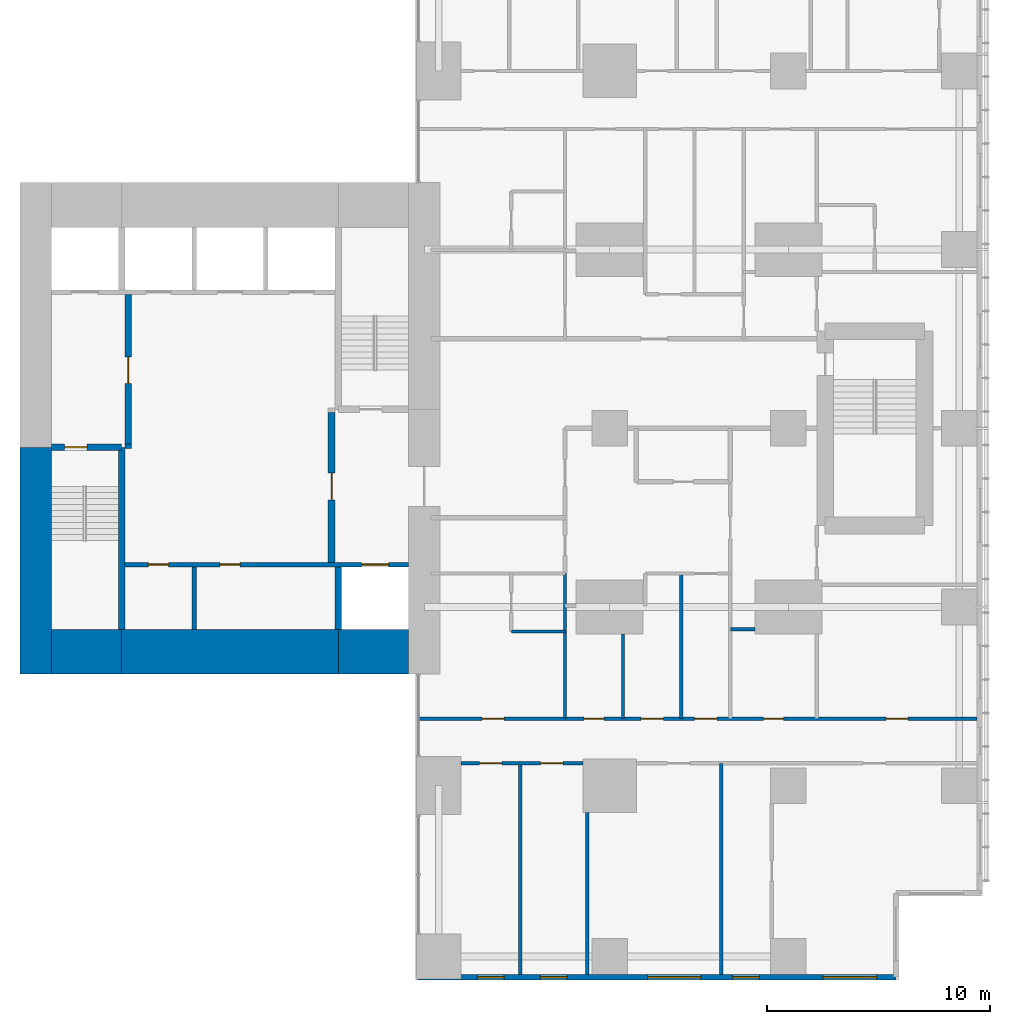
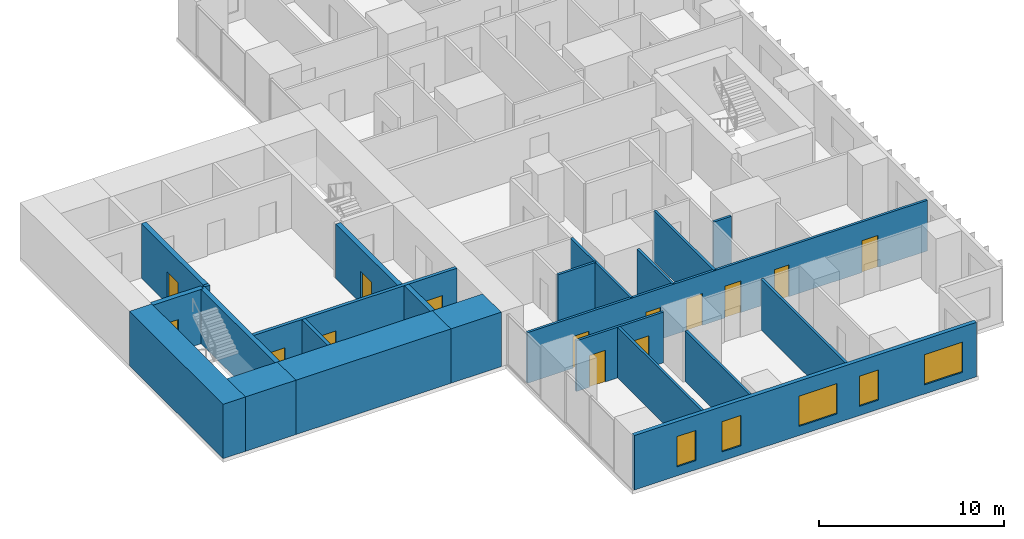
# One storey, part 7 of 12: 23 walls, 14 doors, 5 windows, 19 openings.
"""IFC4 building model written with IfcOpenShell, lengths in metres."""

from ifc_helpers import new_model, si_unit, direction, frame, frame_2d, origin, place, context, subcontext, project, spatial, rectangle, extrude, material, layer, layer_set, type_object, element, fill, save


model = new_model("IFC4")

# Units and contexts
model_context = context("Model", 3, precision=1e-05, world=origin(), true_north=direction((0.0, 1.0)))
body_context = subcontext(model_context, "Body", "Model", "MODEL_VIEW")
ifc_project = project(units=[si_unit("LENGTHUNIT", "METRE"), si_unit("AREAUNIT", "SQUARE_METRE"), si_unit("VOLUMEUNIT", "CUBIC_METRE"), si_unit("PLANEANGLEUNIT", "RADIAN"), si_unit("MASSUNIT", "GRAM", prefix="KILO")], contexts=[model_context])

# Site, building, storey
site_placement = place(None, origin())
site = spatial("IfcSite", under=ifc_project, at=site_placement, CompositionType="ELEMENT")
building_placement = place(site_placement, origin())
building = spatial("IfcBuilding", under=site, at=building_placement, Name="Cleftline Residences", CompositionType="ELEMENT")
storey_placement = place(building_placement, frame((0.0, 0.0, 237.60009765625)))
storey = spatial("IfcBuildingStorey", under=building, at=storey_placement, Name="L62", CompositionType="ELEMENT", Elevation=237.60009765625)

# Walls
ifc_material_1 = material(Name="Concrete B70", Category="concrete")
ifc_layer_1 = layer(ifc_material_1, 1.39990234375)
ifc_layer_set_1 = layer_set([ifc_layer_1], Name="CORE WALL 1400")
wall_type_1 = type_object("IfcWallType", Name="CORE WALL 1400", PredefinedType="SHEAR", material=ifc_layer_set_1)
wall_1_placement = place(storey_placement, frame((24.300048828125, 13.0, 0.0), z_axis=(0.0, 0.0, 1.0), x_axis=(0.0, 1.0, 0.0)))
element("IfcWall", 1, at=wall_1_placement, inside=storey, type_object=wall_type_1, Name="Core wall W0", PredefinedType="SHEAR", context=body_context, shape_type="SweptSolid", body=[
    extrude(rectangle(XDim=10.14990234375, YDim=1.39990234375, at=frame_2d((5.074951171875, 0.0))), origin(), (0.0, 0.0, 1.0), 3.599853515625),
])
ifc_material_2 = material(Name="Concrete B70", Category="concrete")
ifc_layer_2 = layer(ifc_material_2, 2.0)
ifc_layer_set_2 = layer_set([ifc_layer_2], Name="CORE WALL 2000")
wall_type_2 = type_object("IfcWallType", Name="CORE WALL 2000", PredefinedType="SHEAR", material=ifc_layer_set_2)
wall_2_placement = place(storey_placement, frame((25.0, 14.0, 0.0), z_axis=(0.0, 0.0, 1.0), x_axis=(1.0, 0.0, 0.0)))
element("IfcWall", 2, at=wall_2_placement, inside=storey, type_object=wall_type_2, Name="Core wall S1", PredefinedType="SHEAR", context=body_context, shape_type="SweptSolid", body=[
    extrude(rectangle(XDim=3.14990234375, YDim=2.0, at=frame_2d((1.574951171875, 0.0))), origin(), (0.0, 0.0, 1.0), 3.599853515625),
])
wall_3_placement = place(storey_placement, frame((28.14990234375, 14.0, 0.0), z_axis=(0.0, 0.0, 1.0), x_axis=(1.0, 0.0, 0.0)))
element("IfcWall", 3, at=wall_3_placement, inside=storey, type_object=wall_type_2, Name="Core wall S2", PredefinedType="SHEAR", context=body_context, shape_type="SweptSolid", body=[
    extrude(rectangle(XDim=9.7001953125, YDim=2.0, at=frame_2d((4.85009765625, 0.0))), origin(), (0.0, 0.0, 1.0), 3.599853515625),
])
wall_4_placement = place(storey_placement, frame((37.85009765625, 14.0, 0.0), z_axis=(0.0, 0.0, 1.0), x_axis=(1.0, 0.0, 0.0)))
element("IfcWall", 4, at=wall_4_placement, inside=storey, type_object=wall_type_2, Name="Core wall S3", PredefinedType="SHEAR", context=body_context, shape_type="SweptSolid", body=[
    extrude(rectangle(XDim=3.14990234375, YDim=2.0, at=frame_2d((1.574951171875, 0.0))), origin(), (0.0, 0.0, 1.0), 3.599853515625),
])
ifc_material_3 = material(Name="Concrete B70", Category="concrete")
ifc_layer_3 = layer(ifc_material_3, 0.300048828125)
ifc_layer_set_3 = layer_set([ifc_layer_3], Name="CORE WALL 300")
wall_type_3 = type_object("IfcWallType", Name="CORE WALL 300", PredefinedType="SHEAR", material=ifc_layer_set_3)
wall_5_placement = place(storey_placement, frame((28.14990234375, 15.0, 0.0), z_axis=(0.0, 0.0, 1.0), x_axis=(0.0, 1.0, 0.0)))
element("IfcWall", 5, at=wall_5_placement, inside=storey, type_object=wall_type_3, Name="Core wall SA-E", PredefinedType="SHEAR", context=body_context, shape_type="SweptSolid", body=[
    extrude(rectangle(XDim=8.14990234375, YDim=0.300048828125, at=frame_2d((4.074951171875, 0.0))), origin(), (0.0, 0.0, 1.0), 3.599853515625),
])

# Wall, opening, door
wall_6_placement = place(storey_placement, frame((25.0, 23.14990234375, 0.0), z_axis=(0.0, 0.0, 1.0), x_axis=(1.0, 0.0, 0.0)))
wall_6 = element("IfcWall", 6, at=wall_6_placement, inside=storey, type_object=wall_type_3, Name="Core wall SA-N", PredefinedType="SHEAR", context=body_context, shape_type="SweptSolid", body=[
    extrude(rectangle(XDim=3.14990234375, YDim=0.300048828125, at=frame_2d((1.574951171875, 0.0))), origin(), (0.0, 0.0, 1.0), 3.599853515625),
])
opening_1_placement = place(wall_6_placement, frame((0.60009765625, 0.0, 0.0)))
opening_1 = element("IfcOpeningElement", 7, at=opening_1_placement, cuts=wall_6, Name="Opening D5", PredefinedType="OPENING", context=body_context, shape_type="SweptSolid", body=[
    extrude(rectangle(XDim=1.0, YDim=2.10009765625, at=frame_2d((0.5, 1.050048828125))), frame((0.0, 0.159912109375, 0.0), z_axis=(0.0, -1.0, 0.0), x_axis=(1.0, 0.0, 0.0)), (0.0, 0.0, 1.0), 0.320068359375),
])
ifc_material_4 = material(Name="Steel", Category="steel")
door_type_1 = type_object("IfcDoorType", Name="STAIR DOOR 1000X2100", OperationType="SINGLE_SWING_LEFT", PredefinedType="DOOR", material=ifc_material_4)
door_1_placement = place(opening_1_placement, origin())
door_1 = element("IfcDoor", 8, at=door_1_placement, inside=storey, type_object=door_type_1, Name="Stair A door", OperationType="SINGLE_SWING_RIGHT", OverallHeight=2.10009765625, OverallWidth=1.0, PredefinedType="DOOR", context=body_context, shape_type="SweptSolid", body=[
    extrude(rectangle(XDim=1.0, YDim=2.10009765625, at=frame_2d((0.5, 1.050048828125))), frame((0.0, 0.02490234375, 0.0), z_axis=(0.0, -1.0, 0.0), x_axis=(1.0, 0.0, 0.0)), (0.0, 0.0, 1.0), 0.050048828125),
])
fill(opening_1, door_1)

# Wall
wall_7_placement = place(storey_placement, frame((37.85009765625, 15.0, 0.0), z_axis=(0.0, 0.0, 1.0), x_axis=(0.0, 1.0, 0.0)))
element("IfcWall", 9, at=wall_7_placement, inside=storey, type_object=wall_type_3, Name="Lift shaft wall", PredefinedType="SHEAR", context=body_context, shape_type="SweptSolid", body=[
    extrude(rectangle(XDim=2.800048828125, YDim=0.300048828125, at=frame_2d((1.39990234375, 0.0))), origin(), (0.0, 0.0, 1.0), 3.599853515625),
])

# Wall, openings, windows
ifc_material_5 = material(Name="Rendered reinforced concrete blockwork", Category="masonry")
ifc_layer_4 = layer(ifc_material_5, 0.25)
ifc_layer_set_4 = layer_set([ifc_layer_4], Name="EXTERNAL WALL 250")
wall_type_4 = type_object("IfcWallType", Name="EXTERNAL WALL 250", PredefinedType="SOLIDWALL", material=ifc_layer_set_4)
wall_8_placement = place(storey_placement, frame((41.425048828125, -0.574951171875, 0.0), z_axis=(0.0, 0.0, 1.0), x_axis=(1.0, 0.0, 0.0)))
wall_8 = element("IfcWall", 10, at=wall_8_placement, inside=storey, type_object=wall_type_4, Name="External wall", PredefinedType="SOLIDWALL", context=body_context, shape_type="SweptSolid", body=[
    extrude(rectangle(XDim=21.39990234375, YDim=0.25, at=frame_2d((10.699951171875, 0.0))), origin(), (0.0, 0.0, 1.0), 3.599853515625),
])
opening_2_placement = place(wall_8_placement, frame((2.64990234375, 0.0, 0.60009765625)))
opening_2 = element("IfcOpeningElement", 11, at=opening_2_placement, cuts=wall_8, Name="Opening W8", PredefinedType="OPENING", context=body_context, shape_type="SweptSolid", body=[
    extrude(rectangle(XDim=1.199951171875, YDim=2.0, at=frame_2d((0.60009765625, 1.0))), frame((0.0, 0.135009765625, 0.0), z_axis=(0.0, -1.0, 0.0), x_axis=(1.0, 0.0, 0.0)), (0.0, 0.0, 1.0), 0.27001953125),
])
opening_3_placement = place(wall_8_placement, frame((5.47509765625, 0.0, 0.60009765625)))
opening_3 = element("IfcOpeningElement", 12, at=opening_3_placement, cuts=wall_8, Name="Opening W8", PredefinedType="OPENING", context=body_context, shape_type="SweptSolid", body=[
    extrude(rectangle(XDim=1.199951171875, YDim=2.0, at=frame_2d((0.60009765625, 1.0))), frame((0.0, 0.135009765625, 0.0), z_axis=(0.0, -1.0, 0.0), x_axis=(1.0, 0.0, 0.0)), (0.0, 0.0, 1.0), 0.27001953125),
])
opening_4_placement = place(wall_8_placement, frame((10.27490234375, 0.0, 0.60009765625)))
opening_4 = element("IfcOpeningElement", 13, at=opening_4_placement, cuts=wall_8, Name="Opening W6", PredefinedType="OPENING", context=body_context, shape_type="SweptSolid", body=[
    extrude(rectangle(XDim=2.39990234375, YDim=2.0, at=frame_2d((1.199951171875, 1.0))), frame((0.0, 0.135009765625, 0.0), z_axis=(0.0, -1.0, 0.0), x_axis=(1.0, 0.0, 0.0)), (0.0, 0.0, 1.0), 0.27001953125),
])
opening_5_placement = place(wall_8_placement, frame((14.074951171875, 0.0, 0.60009765625)))
opening_5 = element("IfcOpeningElement", 14, at=opening_5_placement, cuts=wall_8, Name="Opening W8", PredefinedType="OPENING", context=body_context, shape_type="SweptSolid", body=[
    extrude(rectangle(XDim=1.199951171875, YDim=2.0, at=frame_2d((0.60009765625, 1.0))), frame((0.0, 0.135009765625, 0.0), z_axis=(0.0, -1.0, 0.0), x_axis=(1.0, 0.0, 0.0)), (0.0, 0.0, 1.0), 0.27001953125),
])
opening_6_placement = place(wall_8_placement, frame((18.125, 0.0, 0.60009765625)))
opening_6 = element("IfcOpeningElement", 15, at=opening_6_placement, cuts=wall_8, Name="Opening W6", PredefinedType="OPENING", context=body_context, shape_type="SweptSolid", body=[
    extrude(rectangle(XDim=2.39990234375, YDim=2.0, at=frame_2d((1.199951171875, 1.0))), frame((0.0, 0.135009765625, 0.0), z_axis=(0.0, -1.0, 0.0), x_axis=(1.0, 0.0, 0.0)), (0.0, 0.0, 1.0), 0.27001953125),
])
ifc_material_6 = material(Name="Aluminium frame, clear double glazing", Category="aluminium")
window_type_1 = type_object("IfcWindowType", Name="WINDOW 1200X2000", PartitioningType="DOUBLE_PANEL_VERTICAL", PredefinedType="WINDOW", material=ifc_material_6)
window_1_placement = place(opening_2_placement, origin())
window_1 = element("IfcWindow", 16, at=window_1_placement, inside=storey, type_object=window_type_1, Name="Window", OverallHeight=2.0, OverallWidth=1.199951171875, PartitioningType="SINGLE_PANEL", PredefinedType="WINDOW", context=body_context, shape_type="SweptSolid", body=[
    extrude(rectangle(XDim=1.199951171875, YDim=2.0, at=frame_2d((0.60009765625, 1.0))), frame((0.0, 0.030029296875, 0.0), z_axis=(0.0, -1.0, 0.0), x_axis=(1.0, 0.0, 0.0)), (0.0, 0.0, 1.0), 0.06005859375),
])
fill(opening_2, window_1)
window_2_placement = place(opening_3_placement, origin())
window_2 = element("IfcWindow", 17, at=window_2_placement, inside=storey, type_object=window_type_1, Name="Window", OverallHeight=2.0, OverallWidth=1.199951171875, PartitioningType="SINGLE_PANEL", PredefinedType="WINDOW", context=body_context, shape_type="SweptSolid", body=[
    extrude(rectangle(XDim=1.199951171875, YDim=2.0, at=frame_2d((0.60009765625, 1.0))), frame((0.0, 0.030029296875, 0.0), z_axis=(0.0, -1.0, 0.0), x_axis=(1.0, 0.0, 0.0)), (0.0, 0.0, 1.0), 0.06005859375),
])
fill(opening_3, window_2)
window_3_placement = place(opening_5_placement, origin())
window_3 = element("IfcWindow", 18, at=window_3_placement, inside=storey, type_object=window_type_1, Name="Window", OverallHeight=2.0, OverallWidth=1.199951171875, PartitioningType="SINGLE_PANEL", PredefinedType="WINDOW", context=body_context, shape_type="SweptSolid", body=[
    extrude(rectangle(XDim=1.199951171875, YDim=2.0, at=frame_2d((0.60009765625, 1.0))), frame((0.0, 0.030029296875, 0.0), z_axis=(0.0, -1.0, 0.0), x_axis=(1.0, 0.0, 0.0)), (0.0, 0.0, 1.0), 0.06005859375),
])
fill(opening_5, window_3)
ifc_material_7 = material(Name="Aluminium frame, clear double glazing", Category="aluminium")
window_type_2 = type_object("IfcWindowType", Name="WINDOW 2400X2000", PartitioningType="DOUBLE_PANEL_VERTICAL", PredefinedType="WINDOW", material=ifc_material_7)
window_4_placement = place(opening_4_placement, origin())
window_4 = element("IfcWindow", 19, at=window_4_placement, inside=storey, type_object=window_type_2, Name="Window", OverallHeight=2.0, OverallWidth=2.39990234375, PartitioningType="SINGLE_PANEL", PredefinedType="WINDOW", context=body_context, shape_type="SweptSolid", body=[
    extrude(rectangle(XDim=2.39990234375, YDim=2.0, at=frame_2d((1.199951171875, 1.0))), frame((0.0, 0.030029296875, 0.0), z_axis=(0.0, -1.0, 0.0), x_axis=(1.0, 0.0, 0.0)), (0.0, 0.0, 1.0), 0.06005859375),
])
fill(opening_4, window_4)
window_5_placement = place(opening_6_placement, origin())
window_5 = element("IfcWindow", 20, at=window_5_placement, inside=storey, type_object=window_type_2, Name="Window", OverallHeight=2.0, OverallWidth=2.39990234375, PartitioningType="SINGLE_PANEL", PredefinedType="WINDOW", context=body_context, shape_type="SweptSolid", body=[
    extrude(rectangle(XDim=2.39990234375, YDim=2.0, at=frame_2d((1.199951171875, 1.0))), frame((0.0, 0.030029296875, 0.0), z_axis=(0.0, -1.0, 0.0), x_axis=(1.0, 0.0, 0.0)), (0.0, 0.0, 1.0), 0.06005859375),
])
fill(opening_6, window_5)

# Wall
ifc_material_8 = material(Name="Concrete blockwork, fire rated", Category="masonry")
ifc_layer_5 = layer(ifc_material_8, 0.199951171875)
ifc_layer_set_5 = layer_set([ifc_layer_5], Name="FIRE WALL 200")
wall_type_5 = type_object("IfcWallType", Name="FIRE WALL 200", PredefinedType="PARTITIONING", material=ifc_layer_set_5)
wall_9_placement = place(storey_placement, frame((28.300048828125, 23.199951171875, 0.0), z_axis=(0.0, 0.0, 1.0), x_axis=(1.0, 0.0, 0.0)))
element("IfcWall", 21, at=wall_9_placement, inside=storey, type_object=wall_type_5, Name="Fire separating wall", PredefinedType="PARTITIONING", context=body_context, shape_type="SweptSolid", body=[
    extrude(rectangle(XDim=0.300048828125, YDim=0.199951171875, at=frame_2d((0.14990234375, 0.0))), origin(), (0.0, 0.0, 1.0), 3.599853515625),
])

# Wall, openings, doors
ifc_material_9 = material(Name="Gypsum board on steel studs", Category="steel")
ifc_layer_6 = layer(ifc_material_9, 0.14990234375)
ifc_layer_set_6 = layer_set([ifc_layer_6], Name="PARTITION 150")
wall_type_6 = type_object("IfcWallType", Name="PARTITION 150", PredefinedType="PARTITIONING", material=ifc_layer_set_6)
wall_10_placement = place(storey_placement, frame((43.35009765625, 9.0, 0.0), z_axis=(0.0, 0.0, 1.0), x_axis=(1.0, 0.0, 0.0)))
wall_10 = element("IfcWall", 22, at=wall_10_placement, inside=storey, type_object=wall_type_6, Name="Partition", PredefinedType="PARTITIONING", context=body_context, shape_type="SweptSolid", body=[
    extrude(rectangle(XDim=5.449951171875, YDim=0.14990234375, at=frame_2d((2.72509765625, 0.0))), origin(), (0.0, 0.0, 1.0), 3.349853515625),
])
opening_7_placement = place(wall_10_placement, frame((3.550048828125, 0.0, 0.0)))
opening_7 = element("IfcOpeningElement", 23, at=opening_7_placement, cuts=wall_10, Name="Opening D2", PredefinedType="OPENING", context=body_context, shape_type="SweptSolid", body=[
    extrude(rectangle(XDim=1.0, YDim=2.10009765625, at=frame_2d((0.5, 1.050048828125))), frame((0.0, 0.0849609375, 0.0), z_axis=(0.0, -1.0, 0.0), x_axis=(1.0, 0.0, 0.0)), (0.0, 0.0, 1.0), 0.169921875),
])
opening_8_placement = place(wall_10_placement, frame((0.824951171875, 0.0, 0.0)))
opening_8 = element("IfcOpeningElement", 24, at=opening_8_placement, cuts=wall_10, Name="Opening D2", PredefinedType="OPENING", context=body_context, shape_type="SweptSolid", body=[
    extrude(rectangle(XDim=1.0, YDim=2.10009765625, at=frame_2d((0.5, 1.050048828125))), frame((0.0, 0.0849609375, 0.0), z_axis=(0.0, -1.0, 0.0), x_axis=(1.0, 0.0, 0.0)), (0.0, 0.0, 1.0), 0.169921875),
])
ifc_material_10 = material(Name="Timber veneer on solid core", Category="wood")
door_type_2 = type_object("IfcDoorType", Name="DOOR 1000X2100", OperationType="SINGLE_SWING_LEFT", PredefinedType="DOOR", material=ifc_material_10)
door_2_placement = place(opening_7_placement, origin())
door_2 = element("IfcDoor", 25, at=door_2_placement, inside=storey, type_object=door_type_2, Name="Door to breakfast room", OperationType="SINGLE_SWING_LEFT", OverallHeight=2.10009765625, OverallWidth=1.0, PredefinedType="DOOR", context=body_context, shape_type="SweptSolid", body=[
    extrude(rectangle(XDim=1.0, YDim=2.10009765625, at=frame_2d((0.5, 1.050048828125))), frame((0.0, 0.02490234375, 0.0), z_axis=(0.0, -1.0, 0.0), x_axis=(1.0, 0.0, 0.0)), (0.0, 0.0, 1.0), 0.050048828125),
])
fill(opening_7, door_2)
door_3_placement = place(opening_8_placement, origin())
door_3 = element("IfcDoor", 26, at=door_3_placement, inside=storey, type_object=door_type_2, Name="Door to show kitchen", OperationType="SINGLE_SWING_RIGHT", OverallHeight=2.10009765625, OverallWidth=1.0, PredefinedType="DOOR", context=body_context, shape_type="SweptSolid", body=[
    extrude(rectangle(XDim=1.0, YDim=2.10009765625, at=frame_2d((0.5, 1.050048828125))), frame((0.0, 0.02490234375, 0.0), z_axis=(0.0, -1.0, 0.0), x_axis=(1.0, 0.0, 0.0)), (0.0, 0.0, 1.0), 0.050048828125),
])
fill(opening_8, door_3)

wall_11_placement = place(storey_placement, frame((41.43896484375, 11.0, 0.0), z_axis=(0.0, 0.0, 1.0), x_axis=(1.0, 0.0, 0.0)))
wall_11 = element("IfcWall", 27, at=wall_11_placement, inside=storey, type_object=wall_type_6, Name="Partition", PredefinedType="PARTITIONING", context=body_context, shape_type="SweptSolid", body=[
    extrude(rectangle(XDim=25.010986328125, YDim=0.14990234375, at=frame_2d((12.50537109375, 0.0))), origin(), (0.0, 0.0, 1.0), 3.349853515625),
])
opening_9_placement = place(wall_11_placement, frame((12.361083984375, 0.0, 0.0)))
opening_9 = element("IfcOpeningElement", 28, at=opening_9_placement, cuts=wall_11, Name="Opening D2F30", PredefinedType="OPENING", context=body_context, shape_type="SweptSolid", body=[
    extrude(rectangle(XDim=1.0, YDim=2.10009765625, at=frame_2d((0.5, 1.050048828125))), frame((0.0, 0.0849609375, 0.0), z_axis=(0.0, -1.0, 0.0), x_axis=(1.0, 0.0, 0.0)), (0.0, 0.0, 1.0), 0.169921875),
])
opening_10_placement = place(wall_11_placement, frame((20.923583984375, 0.0, 0.0)))
opening_10 = element("IfcOpeningElement", 29, at=opening_10_placement, cuts=wall_11, Name="Opening D2F30", PredefinedType="OPENING", context=body_context, shape_type="SweptSolid", body=[
    extrude(rectangle(XDim=1.0, YDim=2.10009765625, at=frame_2d((0.5, 1.050048828125))), frame((0.0, 0.0849609375, 0.0), z_axis=(0.0, -1.0, 0.0), x_axis=(1.0, 0.0, 0.0)), (0.0, 0.0, 1.0), 0.169921875),
])
opening_11_placement = place(wall_11_placement, frame((15.448486328125, 0.0, 0.0)))
opening_11 = element("IfcOpeningElement", 30, at=opening_11_placement, cuts=wall_11, Name="Opening D1F30", PredefinedType="OPENING", context=body_context, shape_type="SweptSolid", body=[
    extrude(rectangle(XDim=0.89990234375, YDim=2.10009765625, at=frame_2d((0.449951171875, 1.050048828125))), frame((0.0, 0.0849609375, 0.0), z_axis=(0.0, -1.0, 0.0), x_axis=(1.0, 0.0, 0.0)), (0.0, 0.0, 1.0), 0.169921875),
])
opening_12_placement = place(wall_11_placement, frame((9.9609375, 0.0, 0.0)))
opening_12 = element("IfcOpeningElement", 31, at=opening_12_placement, cuts=wall_11, Name="Opening D2F30", PredefinedType="OPENING", context=body_context, shape_type="SweptSolid", body=[
    extrude(rectangle(XDim=1.0, YDim=2.10009765625, at=frame_2d((0.5, 1.050048828125))), frame((0.0, 0.0849609375, 0.0), z_axis=(0.0, -1.0, 0.0), x_axis=(1.0, 0.0, 0.0)), (0.0, 0.0, 1.0), 0.169921875),
])
opening_13_placement = place(wall_11_placement, frame((7.410888671875, 0.0, 0.0)))
opening_13 = element("IfcOpeningElement", 32, at=opening_13_placement, cuts=wall_11, Name="Opening D1F30", PredefinedType="OPENING", context=body_context, shape_type="SweptSolid", body=[
    extrude(rectangle(XDim=0.89990234375, YDim=2.10009765625, at=frame_2d((0.449951171875, 1.050048828125))), frame((0.0, 0.0849609375, 0.0), z_axis=(0.0, -1.0, 0.0), x_axis=(1.0, 0.0, 0.0)), (0.0, 0.0, 1.0), 0.169921875),
])
opening_14_placement = place(wall_11_placement, frame((2.8359375, 0.0, 0.0)))
opening_14 = element("IfcOpeningElement", 33, at=opening_14_placement, cuts=wall_11, Name="Opening D2F30", PredefinedType="OPENING", context=body_context, shape_type="SweptSolid", body=[
    extrude(rectangle(XDim=1.0, YDim=2.10009765625, at=frame_2d((0.5, 1.050048828125))), frame((0.0, 0.0849609375, 0.0), z_axis=(0.0, -1.0, 0.0), x_axis=(1.0, 0.0, 0.0)), (0.0, 0.0, 1.0), 0.169921875),
])
ifc_material_11 = material(Name="Timber veneer on solid core", Category="wood")
door_type_3 = type_object("IfcDoorType", Name="DOOR 1000X2100 EI 30", OperationType="SINGLE_SWING_LEFT", PredefinedType="DOOR", material=ifc_material_11)
door_4_placement = place(opening_9_placement, origin())
door_4 = element("IfcDoor", 34, at=door_4_placement, inside=storey, type_object=door_type_3, Name="Door to residence hall (gallery)", OperationType="SINGLE_SWING_LEFT", OverallHeight=2.10009765625, OverallWidth=1.0, PredefinedType="DOOR", context=body_context, shape_type="SweptSolid", body=[
    extrude(rectangle(XDim=1.0, YDim=2.10009765625, at=frame_2d((0.5, 1.050048828125))), frame((0.0, 0.02490234375, 0.0), z_axis=(0.0, -1.0, 0.0), x_axis=(1.0, 0.0, 0.0)), (0.0, 0.0, 1.0), 0.050048828125),
])
fill(opening_9, door_4)
door_5_placement = place(opening_10_placement, origin())
door_5 = element("IfcDoor", 35, at=door_5_placement, inside=storey, type_object=door_type_3, Name="Door to altar room", OperationType="SINGLE_SWING_LEFT", OverallHeight=2.10009765625, OverallWidth=1.0, PredefinedType="DOOR", context=body_context, shape_type="SweptSolid", body=[
    extrude(rectangle(XDim=1.0, YDim=2.10009765625, at=frame_2d((0.5, 1.050048828125))), frame((0.0, 0.02490234375, 0.0), z_axis=(0.0, -1.0, 0.0), x_axis=(1.0, 0.0, 0.0)), (0.0, 0.0, 1.0), 0.050048828125),
])
fill(opening_10, door_5)
door_6_placement = place(opening_12_placement, origin())
door_6 = element("IfcDoor", 36, at=door_6_placement, inside=storey, type_object=door_type_3, Name="Door to wet kitchen", OperationType="SINGLE_SWING_RIGHT", OverallHeight=2.10009765625, OverallWidth=1.0, PredefinedType="DOOR", context=body_context, shape_type="SweptSolid", body=[
    extrude(rectangle(XDim=1.0, YDim=2.10009765625, at=frame_2d((0.5, 1.050048828125))), frame((0.0, 0.02490234375, 0.0), z_axis=(0.0, -1.0, 0.0), x_axis=(1.0, 0.0, 0.0)), (0.0, 0.0, 1.0), 0.050048828125),
])
fill(opening_12, door_6)
door_7_placement = place(opening_14_placement, origin())
door_7 = element("IfcDoor", 37, at=door_7_placement, inside=storey, type_object=door_type_3, Name="Door to staff bedroom", OperationType="SINGLE_SWING_RIGHT", OverallHeight=2.10009765625, OverallWidth=1.0, PredefinedType="DOOR", context=body_context, shape_type="SweptSolid", body=[
    extrude(rectangle(XDim=1.0, YDim=2.10009765625, at=frame_2d((0.5, 1.050048828125))), frame((0.0, 0.02490234375, 0.0), z_axis=(0.0, -1.0, 0.0), x_axis=(1.0, 0.0, 0.0)), (0.0, 0.0, 1.0), 0.050048828125),
])
fill(opening_14, door_7)
ifc_material_12 = material(Name="Timber veneer on solid core", Category="wood")
door_type_4 = type_object("IfcDoorType", Name="DOOR 900X2100 EI 30", OperationType="SINGLE_SWING_LEFT", PredefinedType="DOOR", material=ifc_material_12)
door_8_placement = place(opening_11_placement, origin())
door_8 = element("IfcDoor", 38, at=door_8_placement, inside=storey, type_object=door_type_4, Name="Door to store room", OperationType="SINGLE_SWING_LEFT", OverallHeight=2.10009765625, OverallWidth=0.89990234375, PredefinedType="DOOR", context=body_context, shape_type="SweptSolid", body=[
    extrude(rectangle(XDim=0.89990234375, YDim=2.10009765625, at=frame_2d((0.449951171875, 1.050048828125))), frame((0.0, 0.02490234375, 0.0), z_axis=(0.0, -1.0, 0.0), x_axis=(1.0, 0.0, 0.0)), (0.0, 0.0, 1.0), 0.050048828125),
])
fill(opening_11, door_8)
door_9_placement = place(opening_13_placement, origin())
door_9 = element("IfcDoor", 39, at=door_9_placement, inside=storey, type_object=door_type_4, Name="Door to pantry", OperationType="SINGLE_SWING_RIGHT", OverallHeight=2.10009765625, OverallWidth=0.89990234375, PredefinedType="DOOR", context=body_context, shape_type="SweptSolid", body=[
    extrude(rectangle(XDim=0.89990234375, YDim=2.10009765625, at=frame_2d((0.449951171875, 1.050048828125))), frame((0.0, 0.02490234375, 0.0), z_axis=(0.0, -1.0, 0.0), x_axis=(1.0, 0.0, 0.0)), (0.0, 0.0, 1.0), 0.050048828125),
])
fill(opening_13, door_9)

# Walls
wall_12_placement = place(storey_placement, frame((45.60009765625, 14.89990234375, 0.0), z_axis=(0.0, 0.0, 1.0), x_axis=(1.0, 0.0, 0.0)))
element("IfcWall", 40, at=wall_12_placement, inside=storey, type_object=wall_type_6, Name="Partition", PredefinedType="PARTITIONING", context=body_context, shape_type="SweptSolid", body=[
    extrude(rectangle(XDim=2.39990234375, YDim=0.14990234375, at=frame_2d((1.199951171875, 0.0))), origin(), (0.0, 0.0, 1.0), 3.349853515625),
])
wall_13_placement = place(storey_placement, frame((55.39990234375, 15.0, 0.0), z_axis=(0.0, 0.0, 1.0), x_axis=(1.0, 0.0, 0.0)))
element("IfcWall", 41, at=wall_13_placement, inside=storey, type_object=wall_type_6, Name="Partition", PredefinedType="PARTITIONING", context=body_context, shape_type="SweptSolid", body=[
    extrude(rectangle(XDim=1.10009765625, YDim=0.14990234375, at=frame_2d((0.550048828125, 0.0))), origin(), (0.0, 0.0, 1.0), 3.349853515625),
])
wall_14_placement = place(storey_placement, frame((46.0, -0.449951171875, 0.0), z_axis=(0.0, 0.0, 1.0), x_axis=(0.0, 1.0, 0.0)))
element("IfcWall", 42, at=wall_14_placement, inside=storey, type_object=wall_type_6, Name="Partition", PredefinedType="PARTITIONING", context=body_context, shape_type="SweptSolid", body=[
    extrude(rectangle(XDim=9.449951171875, YDim=0.14990234375, at=frame_2d((4.72509765625, 0.0))), origin(), (0.0, 0.0, 1.0), 3.349853515625),
])
wall_15_placement = place(storey_placement, frame((48.0, 11.0, 0.0), z_axis=(0.0, 0.0, 1.0), x_axis=(0.0, 1.0, 0.0)))
element("IfcWall", 43, at=wall_15_placement, inside=storey, type_object=wall_type_6, Name="Partition", PredefinedType="PARTITIONING", context=body_context, shape_type="SweptSolid", body=[
    extrude(rectangle(XDim=6.5, YDim=0.14990234375, at=frame_2d((3.25, 0.0))), origin(), (0.0, 0.0, 1.0), 3.349853515625),
])
wall_16_placement = place(storey_placement, frame((49.0, -0.449951171875, 0.0), z_axis=(0.0, 0.0, 1.0), x_axis=(0.0, 1.0, 0.0)))
element("IfcWall", 44, at=wall_16_placement, inside=storey, type_object=wall_type_6, Name="Partition", PredefinedType="PARTITIONING", context=body_context, shape_type="SweptSolid", body=[
    extrude(rectangle(XDim=7.25, YDim=0.14990234375, at=frame_2d((3.625, 0.0))), origin(), (0.0, 0.0, 1.0), 3.349853515625),
])
wall_17_placement = place(storey_placement, frame((50.60009765625, 11.0, 0.0), z_axis=(0.0, 0.0, 1.0), x_axis=(0.0, 1.0, 0.0)))
element("IfcWall", 45, at=wall_17_placement, inside=storey, type_object=wall_type_6, Name="Partition", PredefinedType="PARTITIONING", context=body_context, shape_type="SweptSolid", body=[
    extrude(rectangle(XDim=3.800048828125, YDim=0.14990234375, at=frame_2d((1.89990234375, 0.0))), origin(), (0.0, 0.0, 1.0), 3.349853515625),
])
wall_18_placement = place(storey_placement, frame((53.199951171875, 11.0, 0.0), z_axis=(0.0, 0.0, 1.0), x_axis=(0.0, 1.0, 0.0)))
element("IfcWall", 46, at=wall_18_placement, inside=storey, type_object=wall_type_6, Name="Partition", PredefinedType="PARTITIONING", context=body_context, shape_type="SweptSolid", body=[
    extrude(rectangle(XDim=6.5, YDim=0.14990234375, at=frame_2d((3.25, 0.0))), origin(), (0.0, 0.0, 1.0), 3.349853515625),
])
wall_19_placement = place(storey_placement, frame((55.0, -0.449951171875, 0.0), z_axis=(0.0, 0.0, 1.0), x_axis=(0.0, 1.0, 0.0)))
element("IfcWall", 47, at=wall_19_placement, inside=storey, type_object=wall_type_6, Name="Partition", PredefinedType="PARTITIONING", context=body_context, shape_type="SweptSolid", body=[
    extrude(rectangle(XDim=9.449951171875, YDim=0.14990234375, at=frame_2d((4.72509765625, 0.0))), origin(), (0.0, 0.0, 1.0), 3.349853515625),
])

# Wall, openings, doors
ifc_material_13 = material(Name="Concrete blockwork, fire rated", Category="masonry")
ifc_layer_7 = layer(ifc_material_13, 0.199951171875)
ifc_layer_set_7 = layer_set([ifc_layer_7], Name="SHAFT WALL 200")
wall_type_7 = type_object("IfcWallType", Name="SHAFT WALL 200", PredefinedType="PARTITIONING", material=ifc_layer_set_7)
wall_20_placement = place(storey_placement, frame((28.300048828125, 17.89990234375, 0.0), z_axis=(0.0, 0.0, 1.0), x_axis=(1.0, 0.0, 0.0)))
wall_20 = element("IfcWall", 48, at=wall_20_placement, inside=storey, type_object=wall_type_7, Name="Core room wall", PredefinedType="PARTITIONING", context=body_context, shape_type="SweptSolid", body=[
    extrude(rectangle(XDim=12.699951171875, YDim=0.199951171875, at=frame_2d((6.35009765625, 0.0))), origin(), (0.0, 0.0, 1.0), 3.599853515625),
])
opening_15_placement = place(wall_20_placement, frame((1.050048828125, 0.0, 0.0)))
opening_15 = element("IfcOpeningElement", 49, at=opening_15_placement, cuts=wall_20, Name="Opening D1F30", PredefinedType="OPENING", context=body_context, shape_type="SweptSolid", body=[
    extrude(rectangle(XDim=0.89990234375, YDim=2.10009765625, at=frame_2d((0.449951171875, 1.050048828125))), frame((0.0, 0.10986328125, 0.0), z_axis=(0.0, -1.0, 0.0), x_axis=(1.0, 0.0, 0.0)), (0.0, 0.0, 1.0), 0.219970703125),
])
opening_16_placement = place(wall_20_placement, frame((4.25, 0.0, 0.0)))
opening_16 = element("IfcOpeningElement", 50, at=opening_16_placement, cuts=wall_20, Name="Opening D1F30", PredefinedType="OPENING", context=body_context, shape_type="SweptSolid", body=[
    extrude(rectangle(XDim=0.89990234375, YDim=2.10009765625, at=frame_2d((0.449951171875, 1.050048828125))), frame((0.0, 0.10986328125, 0.0), z_axis=(0.0, -1.0, 0.0), x_axis=(1.0, 0.0, 0.0)), (0.0, 0.0, 1.0), 0.219970703125),
])
opening_17_placement = place(wall_20_placement, frame((10.60009765625, 0.0, 0.0)))
opening_17 = element("IfcOpeningElement", 51, at=opening_17_placement, cuts=wall_20, Name="Opening LD2", PredefinedType="OPENING", context=body_context, shape_type="SweptSolid", body=[
    extrude(rectangle(XDim=1.199951171875, YDim=2.10009765625, at=frame_2d((0.60009765625, 1.050048828125))), frame((0.0, 0.10986328125, 0.0), z_axis=(0.0, -1.0, 0.0), x_axis=(1.0, 0.0, 0.0)), (0.0, 0.0, 1.0), 0.219970703125),
])
door_10_placement = place(opening_15_placement, origin())
door_10 = element("IfcDoor", 52, at=door_10_placement, inside=storey, type_object=door_type_4, Name="Door to maintenance store", OperationType="SINGLE_SWING_RIGHT", OverallHeight=2.10009765625, OverallWidth=0.89990234375, PredefinedType="DOOR", context=body_context, shape_type="SweptSolid", body=[
    extrude(rectangle(XDim=0.89990234375, YDim=2.10009765625, at=frame_2d((0.449951171875, 1.050048828125))), frame((0.0, 0.02490234375, 0.0), z_axis=(0.0, -1.0, 0.0), x_axis=(1.0, 0.0, 0.0)), (0.0, 0.0, 1.0), 0.050048828125),
])
fill(opening_15, door_10)
door_11_placement = place(opening_16_placement, origin())
door_11 = element("IfcDoor", 53, at=door_11_placement, inside=storey, type_object=door_type_4, Name="Door to housekeeping pantry", OperationType="SINGLE_SWING_RIGHT", OverallHeight=2.10009765625, OverallWidth=0.89990234375, PredefinedType="DOOR", context=body_context, shape_type="SweptSolid", body=[
    extrude(rectangle(XDim=0.89990234375, YDim=2.10009765625, at=frame_2d((0.449951171875, 1.050048828125))), frame((0.0, 0.02490234375, 0.0), z_axis=(0.0, -1.0, 0.0), x_axis=(1.0, 0.0, 0.0)), (0.0, 0.0, 1.0), 0.050048828125),
])
fill(opening_16, door_11)
ifc_material_14 = material(Name="Steel", Category="steel")
door_type_5 = type_object("IfcDoorType", Name="FIREFIGHTING LIFT LANDING DOOR 1200X2100", OperationType="SLIDING_TO_LEFT", PredefinedType="DOOR", material=ifc_material_14)
door_12_placement = place(opening_17_placement, origin())
door_12 = element("IfcDoor", 54, at=door_12_placement, inside=storey, type_object=door_type_5, Name="Lift FL2 landing door", OperationType="SLIDING_TO_LEFT", OverallHeight=2.10009765625, OverallWidth=1.199951171875, PredefinedType="DOOR", context=body_context, shape_type="SweptSolid", body=[
    extrude(rectangle(XDim=1.199951171875, YDim=2.10009765625, at=frame_2d((0.60009765625, 1.050048828125))), frame((0.0, 0.02490234375, 0.0), z_axis=(0.0, -1.0, 0.0), x_axis=(1.0, 0.0, 0.0)), (0.0, 0.0, 1.0), 0.050048828125),
])
fill(opening_17, door_12)

# Wall
wall_21_placement = place(storey_placement, frame((31.39990234375, 15.0, 0.0), z_axis=(0.0, 0.0, 1.0), x_axis=(0.0, 1.0, 0.0)))
element("IfcWall", 55, at=wall_21_placement, inside=storey, type_object=wall_type_7, Name="Core room wall", PredefinedType="PARTITIONING", context=body_context, shape_type="SweptSolid", body=[
    extrude(rectangle(XDim=2.800048828125, YDim=0.199951171875, at=frame_2d((1.39990234375, 0.0))), origin(), (0.0, 0.0, 1.0), 3.599853515625),
])

# Wall, opening, door
ifc_material_15 = material(Name="Concrete blockwork, fire rated", Category="masonry")
ifc_layer_8 = layer(ifc_material_15, 0.300048828125)
ifc_layer_set_8 = layer_set([ifc_layer_8], Name="STAIR LOBBY WALL 300")
wall_type_8 = type_object("IfcWallType", Name="STAIR LOBBY WALL 300", PredefinedType="PARTITIONING", material=ifc_layer_set_8)
wall_22_placement = place(storey_placement, frame((28.449951171875, 23.300048828125, 0.0), z_axis=(0.0, 0.0, 1.0), x_axis=(0.0, 1.0, 0.0)))
wall_22 = element("IfcWall", 56, at=wall_22_placement, inside=storey, type_object=wall_type_8, Name="Stair and lobby wall FA-E", PredefinedType="PARTITIONING", context=body_context, shape_type="SweptSolid", body=[
    extrude(rectangle(XDim=6.699951171875, YDim=0.300048828125, at=frame_2d((3.35009765625, 0.0))), origin(), (0.0, 0.0, 1.0), 3.599853515625),
])
opening_18_placement = place(wall_22_placement, frame((2.699951171875, 0.0, 0.0)))
opening_18 = element("IfcOpeningElement", 57, at=opening_18_placement, cuts=wall_22, Name="Opening D6", PredefinedType="OPENING", context=body_context, shape_type="SweptSolid", body=[
    extrude(rectangle(XDim=1.199951171875, YDim=2.10009765625, at=frame_2d((0.60009765625, 1.050048828125))), frame((0.0, 0.159912109375, 0.0), z_axis=(0.0, -1.0, 0.0), x_axis=(1.0, 0.0, 0.0)), (0.0, 0.0, 1.0), 0.320068359375),
])
ifc_material_16 = material(Name="Steel", Category="steel")
door_type_6 = type_object("IfcDoorType", Name="LOBBY DOOR 1200X2100", OperationType="SINGLE_SWING_RIGHT", PredefinedType="DOOR", material=ifc_material_16)
door_13_placement = place(opening_18_placement, origin())
door_13 = element("IfcDoor", 58, at=door_13_placement, inside=storey, type_object=door_type_6, Name="Firefighting lobby A door", OperationType="SINGLE_SWING_RIGHT", OverallHeight=2.10009765625, OverallWidth=1.199951171875, PredefinedType="DOOR", context=body_context, shape_type="SweptSolid", body=[
    extrude(rectangle(XDim=1.199951171875, YDim=2.10009765625, at=frame_2d((0.60009765625, 1.050048828125))), frame((0.0, 0.02490234375, 0.0), z_axis=(0.0, -1.0, 0.0), x_axis=(1.0, 0.0, 0.0)), (0.0, 0.0, 1.0), 0.050048828125),
])
fill(opening_18, door_13)

wall_23_placement = place(storey_placement, frame((37.550048828125, 18.0, 0.0), z_axis=(0.0, 0.0, 1.0), x_axis=(0.0, 1.0, 0.0)))
wall_23 = element("IfcWall", 59, at=wall_23_placement, inside=storey, type_object=wall_type_8, Name="Stair and lobby wall FB-W", PredefinedType="PARTITIONING", context=body_context, shape_type="SweptSolid", body=[
    extrude(rectangle(XDim=6.699951171875, YDim=0.300048828125, at=frame_2d((3.35009765625, 0.0))), origin(), (0.0, 0.0, 1.0), 3.599853515625),
])
opening_19_placement = place(wall_23_placement, frame((2.800048828125, 0.0, 0.0)))
opening_19 = element("IfcOpeningElement", 60, at=opening_19_placement, cuts=wall_23, Name="Opening D6", PredefinedType="OPENING", context=body_context, shape_type="SweptSolid", body=[
    extrude(rectangle(XDim=1.199951171875, YDim=2.10009765625, at=frame_2d((0.60009765625, 1.050048828125))), frame((0.0, 0.159912109375, 0.0), z_axis=(0.0, -1.0, 0.0), x_axis=(1.0, 0.0, 0.0)), (0.0, 0.0, 1.0), 0.320068359375),
])
door_14_placement = place(opening_19_placement, origin())
door_14 = element("IfcDoor", 61, at=door_14_placement, inside=storey, type_object=door_type_6, Name="Firefighting lobby B door", OperationType="SINGLE_SWING_LEFT", OverallHeight=2.10009765625, OverallWidth=1.199951171875, PredefinedType="DOOR", context=body_context, shape_type="SweptSolid", body=[
    extrude(rectangle(XDim=1.199951171875, YDim=2.10009765625, at=frame_2d((0.60009765625, 1.050048828125))), frame((0.0, 0.02490234375, 0.0), z_axis=(0.0, -1.0, 0.0), x_axis=(1.0, 0.0, 0.0)), (0.0, 0.0, 1.0), 0.050048828125),
])
fill(opening_19, door_14)

save(model, "model.ifc")
